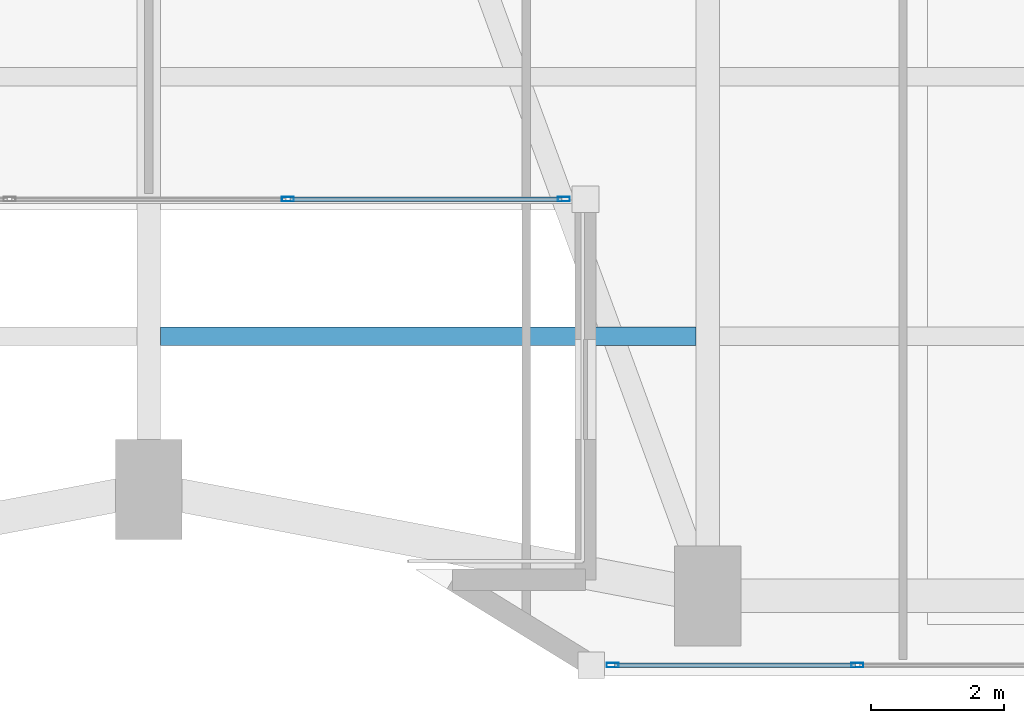
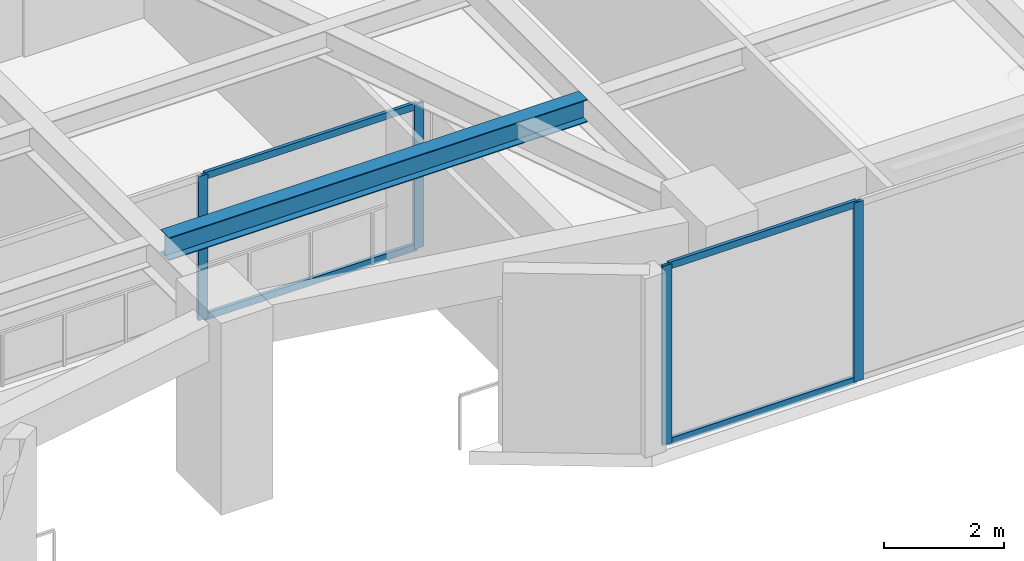
# One storey, part 4 of 26: 8 members, 1 beam, 2 elements without a shape of their own.
"""IFC4 building model written with IfcOpenShell, lengths in metres."""

from ifc_helpers import new_model, si_unit, direction, frame, origin, origin_2d, place, context, subcontext, project, spatial, hollow_rectangle, i_section, extrude, material, layer, layer_set, material_profile, profile_set, type_object, element, aggregate, save


model = new_model("IFC4")

# Units and contexts
model_context = context("Model", 3, precision=1e-05, world=origin(), true_north=direction((0.0, 1.0)))
body_context = subcontext(model_context, "Body", "Model", "MODEL_VIEW")
ifc_project = project(units=[si_unit("LENGTHUNIT", "METRE"), si_unit("AREAUNIT", "SQUARE_METRE"), si_unit("VOLUMEUNIT", "CUBIC_METRE"), si_unit("PLANEANGLEUNIT", "RADIAN"), si_unit("MASSUNIT", "GRAM", prefix="KILO")], contexts=[model_context])

# Site, building, storey
site_placement = place(None, origin())
site = spatial("IfcSite", under=ifc_project, at=site_placement, CompositionType="ELEMENT")
building_placement = place(site_placement, origin())
building = spatial("IfcBuilding", under=site, at=building_placement, Name="Kiyonajd Concourse Tower", CompositionType="ELEMENT")
storey_placement = place(building_placement, frame((0.0, 0.0, 72.89990234375)))
storey = spatial("IfcBuildingStorey", under=building, at=storey_placement, Name="L19", CompositionType="ELEMENT", Elevation=72.89990234375)

# Beam
ifc_material_1 = material(Name="Steel ASTM A992 Grade 50", Category="steel")
ifc_material_profile_1 = material_profile(ifc_material_1, i_section(OverallWidth=0.280029296875, OverallDepth=0.462890625, WebThickness=0.0107421875, FlangeThickness=0.017333984375, at=origin_2d()), Name="W460X113")
ifc_profile_set_1 = profile_set([ifc_material_profile_1], Name="Steel ASTM A992 Grade 50")
beam_type = type_object("IfcBeamType", Name="BM-JST-460A", PredefinedType="JOIST", material=ifc_profile_set_1)
beam_placement = place(storey_placement, frame((48.177490234375, 14.699951171875, 3.40869140625), z_axis=(1.0, 0.0, 0.0), x_axis=(0.0, 1.0, 0.0)))
element("IfcBeam", 1, at=beam_placement, inside=storey, type_object=beam_type, Name="L19 Secondary Floor Joist", PredefinedType="JOIST", context=body_context, shape_type="SweptSolid", body=[
    extrude(i_section(OverallWidth=0.280029296875, OverallDepth=0.462890625, WebThickness=0.0107421875, FlangeThickness=0.017333984375, at=origin_2d()), origin(), (0.0, 0.0, 1.0), 8.044921875),
])

# Curtain wall, members
ifc_material_2 = material(Name="Thermally Broken Anodised Aluminium", Category="aluminium")
ifc_layer = layer(ifc_material_2, 0.179931640625)
ifc_layer_set = layer_set([ifc_layer], Name="Thermally Broken Anodised Aluminium")
curtain_wall_type = type_object("IfcCurtainWallType", Name="CW-SYS-02", PredefinedType="NOTDEFINED", material=ifc_layer_set)
curtain_wall_1_placement = place(storey_placement, origin())
curtain_wall_1 = element("IfcCurtainWall", 2, at=curtain_wall_1_placement, inside=storey, type_object=curtain_wall_type, Name="L19 Unitised Curtain Wall CW2", PredefinedType="NOTDEFINED")
ifc_material_profile_2 = material_profile(ifc_material_2, hollow_rectangle(XDim=0.06494140625, YDim=0.179931640625, WallThickness=0.00390625, at=origin_2d()), Name="MULL-65x180")
ifc_profile_set_2 = profile_set([ifc_material_profile_2], Name="Thermally Broken Anodised Aluminium")
member_type_1 = type_object("IfcMemberType", Name="MB-CW-MULL1", PredefinedType="MULLION", material=ifc_profile_set_2)
member_1_placement = place(storey_placement, frame((58.64599609375, 9.760009765625, 0.0), z_axis=(0.0, 0.0, 1.0), x_axis=(0.0, -1.0, 0.0)))
member_1 = element("IfcMember", 3, at=member_1_placement, type_object=member_type_1, Name="CW2 mullion 5", PredefinedType="MULLION", context=body_context, shape_type="SweptSolid", body=[
    extrude(hollow_rectangle(XDim=0.06494140625, YDim=0.179931640625, WallThickness=0.00390625, at=origin_2d()), origin(), (0.0, 0.0, 1.0), 3.64013671875),
])
member_2_placement = place(storey_placement, frame((54.9677734375, 9.760009765625, 0.0), z_axis=(0.0, 0.0, 1.0), x_axis=(0.0, -1.0, 0.0)))
member_2 = element("IfcMember", 4, at=member_2_placement, type_object=member_type_1, Name="CW2 mullion 6", PredefinedType="MULLION", context=body_context, shape_type="SweptSolid", body=[
    extrude(hollow_rectangle(XDim=0.06494140625, YDim=0.179931640625, WallThickness=0.00390625, at=origin_2d()), origin(), (0.0, 0.0, 1.0), 3.64013671875),
])

curtain_wall_2_placement = place(storey_placement, origin())
curtain_wall_2 = element("IfcCurtainWall", 5, at=curtain_wall_2_placement, inside=storey, type_object=curtain_wall_type, Name="L19 Unitised Curtain Wall CW2", PredefinedType="NOTDEFINED")
member_3_placement = place(storey_placement, frame((54.237548828125, 16.760009765625, 0.0), z_axis=(0.0, 0.0, 1.0), x_axis=(0.0, -1.0, 0.0)))
member_3 = element("IfcMember", 6, at=member_3_placement, type_object=member_type_1, Name="CW2 mullion 1", PredefinedType="MULLION", context=body_context, shape_type="SweptSolid", body=[
    extrude(hollow_rectangle(XDim=0.06494140625, YDim=0.179931640625, WallThickness=0.00390625, at=origin_2d()), origin(), (0.0, 0.0, 1.0), 2.93017578125),
])
member_4_placement = place(storey_placement, frame((50.090087890625, 16.760009765625, 0.0), z_axis=(0.0, 0.0, 1.0), x_axis=(0.0, -1.0, 0.0)))
member_4 = element("IfcMember", 7, at=member_4_placement, type_object=member_type_1, Name="CW2 mullion 2", PredefinedType="MULLION", context=body_context, shape_type="SweptSolid", body=[
    extrude(hollow_rectangle(XDim=0.06494140625, YDim=0.179931640625, WallThickness=0.00390625, at=origin_2d()), origin(), (0.0, 0.0, 1.0), 2.93017578125),
])

# Member
ifc_material_profile_3 = material_profile(ifc_material_2, hollow_rectangle(XDim=0.06494140625, YDim=0.139892578125, WallThickness=0.00390625, at=origin_2d()), Name="TRAN-65x140")
ifc_profile_set_3 = profile_set([ifc_material_profile_3], Name="Thermally Broken Anodised Aluminium")
member_type_2 = type_object("IfcMemberType", Name="MB-CW-TRAN1", PredefinedType="USERDEFINED", material=ifc_profile_set_3)
member_5_placement = place(storey_placement, frame((58.613525390625, 9.760009765625, 0.03271484375), z_axis=(-1.0, 0.0, 0.0), x_axis=(0.0, -1.0, 0.0)))
member_5 = element("IfcMember", 8, at=member_5_placement, type_object=member_type_2, Name="CW2 transom 5.1", ObjectType="TRANSOM", PredefinedType="USERDEFINED", context=body_context, shape_type="SweptSolid", body=[
    extrude(hollow_rectangle(XDim=0.06494140625, YDim=0.139892578125, WallThickness=0.00390625, at=origin_2d()), origin(), (0.0, 0.0, 1.0), 3.61328125),
])

member_6_placement = place(storey_placement, frame((58.613525390625, 9.760009765625, 3.607666015625), z_axis=(-1.0, 0.0, 0.0), x_axis=(0.0, -1.0, 0.0)))
member_6 = element("IfcMember", 9, at=member_6_placement, type_object=member_type_2, Name="CW2 transom 5.2", ObjectType="TRANSOM", PredefinedType="USERDEFINED", context=body_context, shape_type="SweptSolid", body=[
    extrude(hollow_rectangle(XDim=0.06494140625, YDim=0.139892578125, WallThickness=0.00390625, at=origin_2d()), origin(), (0.0, 0.0, 1.0), 3.61328125),
])

aggregate(curtain_wall_1, [member_1, member_2, member_5, member_6])

member_7_placement = place(storey_placement, frame((54.205078125, 16.760009765625, 0.03271484375), z_axis=(-1.0, 0.0, 0.0), x_axis=(0.0, -1.0, 0.0)))
member_7 = element("IfcMember", 10, at=member_7_placement, type_object=member_type_2, Name="CW2 transom 1.1", ObjectType="TRANSOM", PredefinedType="USERDEFINED", context=body_context, shape_type="SweptSolid", body=[
    extrude(hollow_rectangle(XDim=0.06494140625, YDim=0.139892578125, WallThickness=0.00390625, at=origin_2d()), origin(), (0.0, 0.0, 1.0), 4.08251953125),
])

member_8_placement = place(storey_placement, frame((54.205078125, 16.760009765625, 2.897705078125), z_axis=(-1.0, 0.0, 0.0), x_axis=(0.0, -1.0, 0.0)))
member_8 = element("IfcMember", 11, at=member_8_placement, type_object=member_type_2, Name="CW2 transom 1.2", ObjectType="TRANSOM", PredefinedType="USERDEFINED", context=body_context, shape_type="SweptSolid", body=[
    extrude(hollow_rectangle(XDim=0.06494140625, YDim=0.139892578125, WallThickness=0.00390625, at=origin_2d()), origin(), (0.0, 0.0, 1.0), 4.08251953125),
])

aggregate(curtain_wall_2, [member_3, member_4, member_7, member_8])

save(model, "model.ifc")
